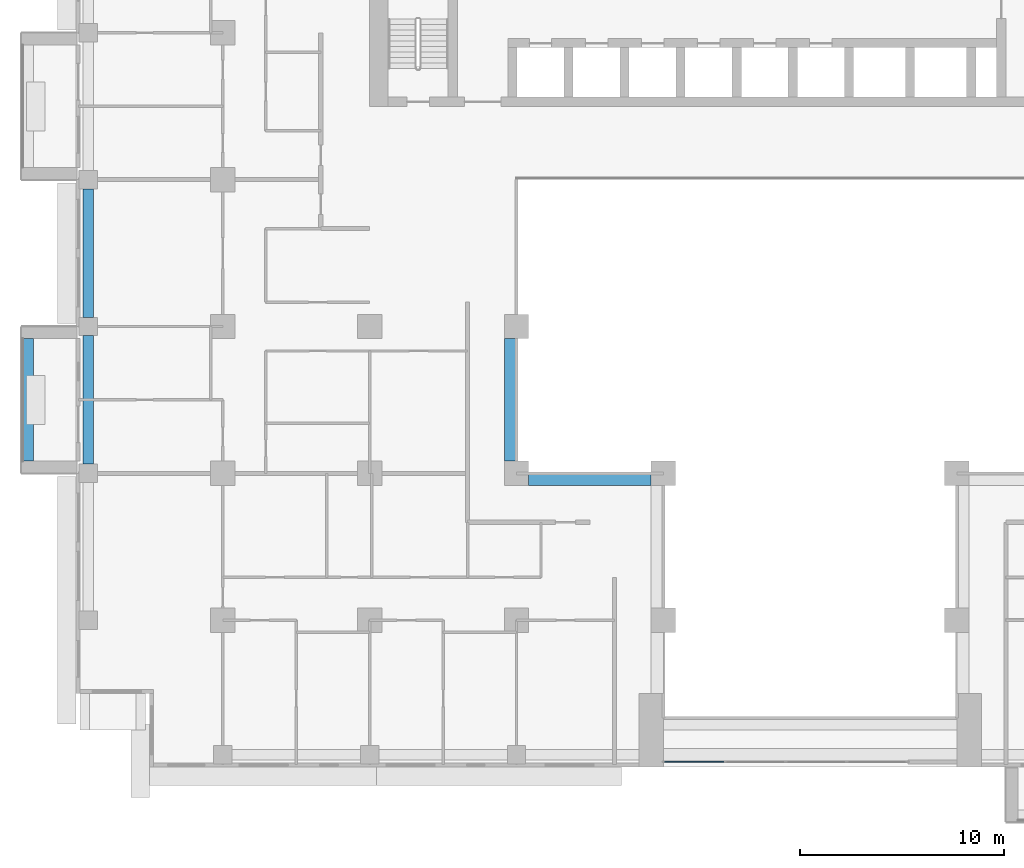
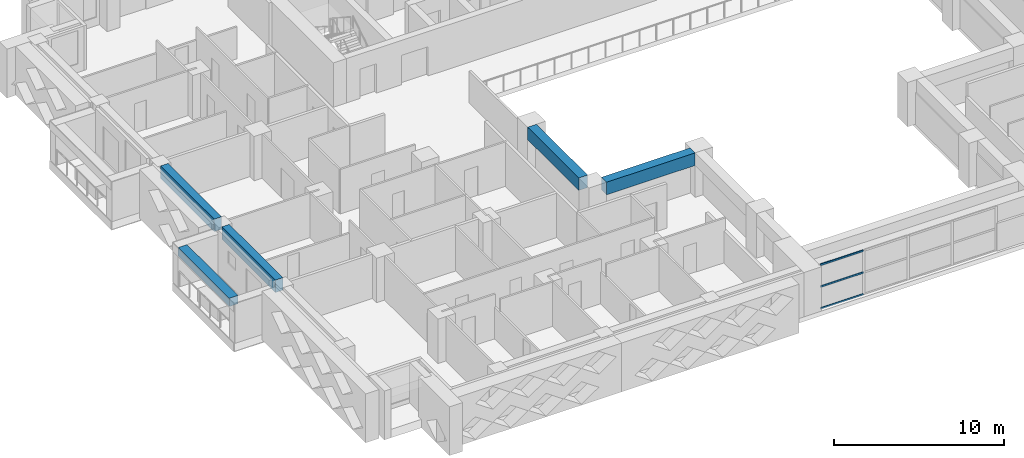
# One storey, part 3 of 17: 5 beams, 3 members, 1 element without a shape of its own.
"""IFC4 building model written with IfcOpenShell, lengths in metres."""

from ifc_helpers import new_model, si_unit, direction, frame, origin, origin_2d, place, context, subcontext, project, spatial, rectangle, extrude, source, transform, mapped, material, layer, layer_set, material_profile, profile_set, type_object, element, aggregate, save


model = new_model("IFC4")

# Units and contexts
model_context = context("Model", 3, precision=1e-05, world=origin(), true_north=direction((0.0, 1.0)))
body_context = subcontext(model_context, "Body", "Model", "MODEL_VIEW")
ifc_project = project(units=[si_unit("LENGTHUNIT", "METRE"), si_unit("AREAUNIT", "SQUARE_METRE"), si_unit("VOLUMEUNIT", "CUBIC_METRE"), si_unit("PLANEANGLEUNIT", "RADIAN"), si_unit("MASSUNIT", "GRAM", prefix="KILO")], contexts=[model_context])

# Site, building, storey
site_placement = place(None, origin())
site = spatial("IfcSite", under=ifc_project, at=site_placement, CompositionType="ELEMENT")
building_placement = place(site_placement, origin())
building = spatial("IfcBuilding", under=site, at=building_placement, Name="Saffron Iwan Residences", CompositionType="ELEMENT")
storey_placement = place(building_placement, frame((0.0, 0.0, 100.5)))
storey = spatial("IfcBuildingStorey", under=building, at=storey_placement, Name="L26", CompositionType="ELEMENT", Elevation=100.5)

# Beams
ifc_material_1 = material(Name="Concrete C60/75", Category="concrete")
ifc_material_profile_1 = material_profile(ifc_material_1, rectangle(XDim=0.5, YDim=0.89990234375, at=origin_2d()), Name="RC 500x900")
ifc_profile_set_1 = profile_set([ifc_material_profile_1], Name="Concrete C60/75")
beam_type_1 = type_object("IfcBeamType", Name="SPANDREL BEAM RC 500x900 C60/75 TOP 3180", PredefinedType="SPANDREL", material=ifc_profile_set_1)
shared_shape_1 = source(origin(), body_context, "Body", "SweptSolid", [
    extrude(rectangle(XDim=0.5, YDim=0.89990234375, at=origin_2d()), origin(), (0.0, 0.0, 1.0), 6.300048828125),
])
for number, where, z_axis, x_axis, name in (
    (1, (15.0, 48.449951171875, 2.72998046875), (0.0, 1.0, 0.0), (-1.0, 0.0, 0.0), "Spandrel beam"),
    (2, (15.0, 55.64990234375, 2.72998046875), (0.0, 1.0, 0.0), (-1.0, 0.0, 0.0), "Spandrel beam"),
):
    element("IfcBeam", number, at=place(storey_placement, frame(where, z_axis=z_axis, x_axis=x_axis)), inside=storey, type_object=beam_type_1, Name=name, PredefinedType="SPANDREL", context=body_context, shape_type="MappedRepresentation", body=[
        mapped(shared_shape_1, transform((0.0, 0.0, 0.0))),
    ])
ifc_material_profile_2 = material_profile(ifc_material_1, rectangle(XDim=0.60009765625, YDim=0.89990234375, at=origin_2d()), Name="RC 600x900")
ifc_profile_set_2 = profile_set([ifc_material_profile_2], Name="Concrete C60/75")
beam_type_2 = type_object("IfcBeamType", Name="BEAM RC 600x900 C60/75 TOP 3180", PredefinedType="BEAM", material=ifc_profile_set_2)
shared_shape_2 = source(origin(), body_context, "Body", "SweptSolid", [
    extrude(rectangle(XDim=0.60009765625, YDim=0.89990234375, at=origin_2d()), origin(), (0.0, 0.0, 1.0), 6.0),
])
for number, where, z_axis, x_axis, name in (
    (3, (42.60009765625, 47.699951171875, 2.72998046875), (-1.0, 0.0, 0.0), (0.0, -1.0, 0.0), "Atrium edge beam"),
    (4, (35.699951171875, 48.60009765625, 2.72998046875), (0.0, 1.0, 0.0), (-1.0, 0.0, 0.0), "Atrium edge beam"),
):
    element("IfcBeam", number, at=place(storey_placement, frame(where, z_axis=z_axis, x_axis=x_axis)), inside=storey, type_object=beam_type_2, Name=name, PredefinedType="BEAM", context=body_context, shape_type="MappedRepresentation", body=[
        mapped(shared_shape_2, transform((0.0, 0.0, 0.0))),
    ])

# Curtain wall, members
ifc_material_2 = material(Name="Clear glass, laminated double glazed", Category="glass")
ifc_layer = layer(ifc_material_2, 0.199951171875)
ifc_layer_set = layer_set([ifc_layer], Name="Clear glass, laminated double glazed")
curtain_wall_type = type_object("IfcCurtainWallType", Name="CW-B IWAN PORTAL", PredefinedType="NOTDEFINED", material=ifc_layer_set)
curtain_wall_placement = place(storey_placement, origin())
curtain_wall = element("IfcCurtainWall", 5, at=curtain_wall_placement, inside=storey, type_object=curtain_wall_type, Name="Iwan portal glazing L26.1", PredefinedType="NOTDEFINED")
ifc_material_3 = material(Name="Aluminium 6063-T6", Category="aluminium")
ifc_material_profile_3 = material_profile(ifc_material_3, rectangle(XDim=0.06005859375, YDim=0.1201171875, at=origin_2d()), Name="CW-B TRANSOM 60 x 120")
ifc_profile_set_3 = profile_set([ifc_material_profile_3], Name="Aluminium 6063-T6")
member_type = type_object("IfcMemberType", Name="CW-B TRANSOM 60 x 120", PredefinedType="USERDEFINED", material=ifc_profile_set_3)
shared_shape_3 = source(origin(), body_context, "Body", "SweptSolid", [
    extrude(rectangle(XDim=0.06005859375, YDim=0.1201171875, at=origin_2d()), origin(), (0.0, 0.0, 1.0), 2.909912109375),
])
member_1_placement = place(storey_placement, frame((43.260009765625, 33.85009765625, 0.030029296875), z_axis=(1.0, 0.0, 0.0), x_axis=(0.0, 1.0, 0.0)))
member_1 = element("IfcMember", 6, at=member_1_placement, type_object=member_type, Name="CW-B transom 1.1", ObjectType="TRANSOM", PredefinedType="USERDEFINED", context=body_context, shape_type="MappedRepresentation", body=[
    mapped(shared_shape_3, transform((0.0, 0.0, 0.0))),
])
member_2_placement = place(storey_placement, frame((43.260009765625, 33.85009765625, 1.590087890625), z_axis=(1.0, 0.0, 0.0), x_axis=(0.0, 1.0, 0.0)))
member_2 = element("IfcMember", 7, at=member_2_placement, type_object=member_type, Name="CW-B transom 1.2", ObjectType="TRANSOM", PredefinedType="USERDEFINED", context=body_context, shape_type="MappedRepresentation", body=[
    mapped(shared_shape_3, transform((0.0, 0.0, 0.0))),
])
member_3_placement = place(storey_placement, frame((43.260009765625, 33.85009765625, 3.14990234375), z_axis=(1.0, 0.0, 0.0), x_axis=(0.0, 1.0, 0.0)))
member_3 = element("IfcMember", 8, at=member_3_placement, type_object=member_type, Name="CW-B transom 1.3", ObjectType="TRANSOM", PredefinedType="USERDEFINED", context=body_context, shape_type="MappedRepresentation", body=[
    mapped(shared_shape_3, transform((0.0, 0.0, 0.0))),
])
aggregate(curtain_wall, [member_1, member_2, member_3])

# Beam
ifc_material_4 = material(Name="Concrete C50/60 white painted", Category="concrete")
ifc_material_profile_4 = material_profile(ifc_material_4, rectangle(XDim=0.60009765625, YDim=0.60009765625, at=origin_2d()), Name="BALCONY FASCIA BEAM 600 x 600")
ifc_profile_set_4 = profile_set([ifc_material_profile_4], Name="Concrete C50/60 white painted")
beam_type_3 = type_object("IfcBeamType", Name="BALCONY FASCIA BEAM 600 x 600", PredefinedType="BEAM", material=ifc_profile_set_4)
shared_shape_4 = source(origin(), body_context, "Body", "SweptSolid", [
    extrude(rectangle(XDim=0.60009765625, YDim=0.60009765625, at=origin_2d()), origin(), (0.0, 0.0, 1.0), 6.0),
])
beam_placement = place(storey_placement, frame((12.0, 54.60009765625, 2.550048828125), z_axis=(0.0, -1.0, 0.0), x_axis=(1.0, 0.0, 0.0)))
element("IfcBeam", 9, at=beam_placement, inside=storey, type_object=beam_type_3, Name="Balcony fascia beam L26 F8-1", PredefinedType="BEAM", context=body_context, shape_type="MappedRepresentation", body=[
    mapped(shared_shape_4, transform((0.0, 0.0, 0.0))),
])

save(model, "model.ifc")
